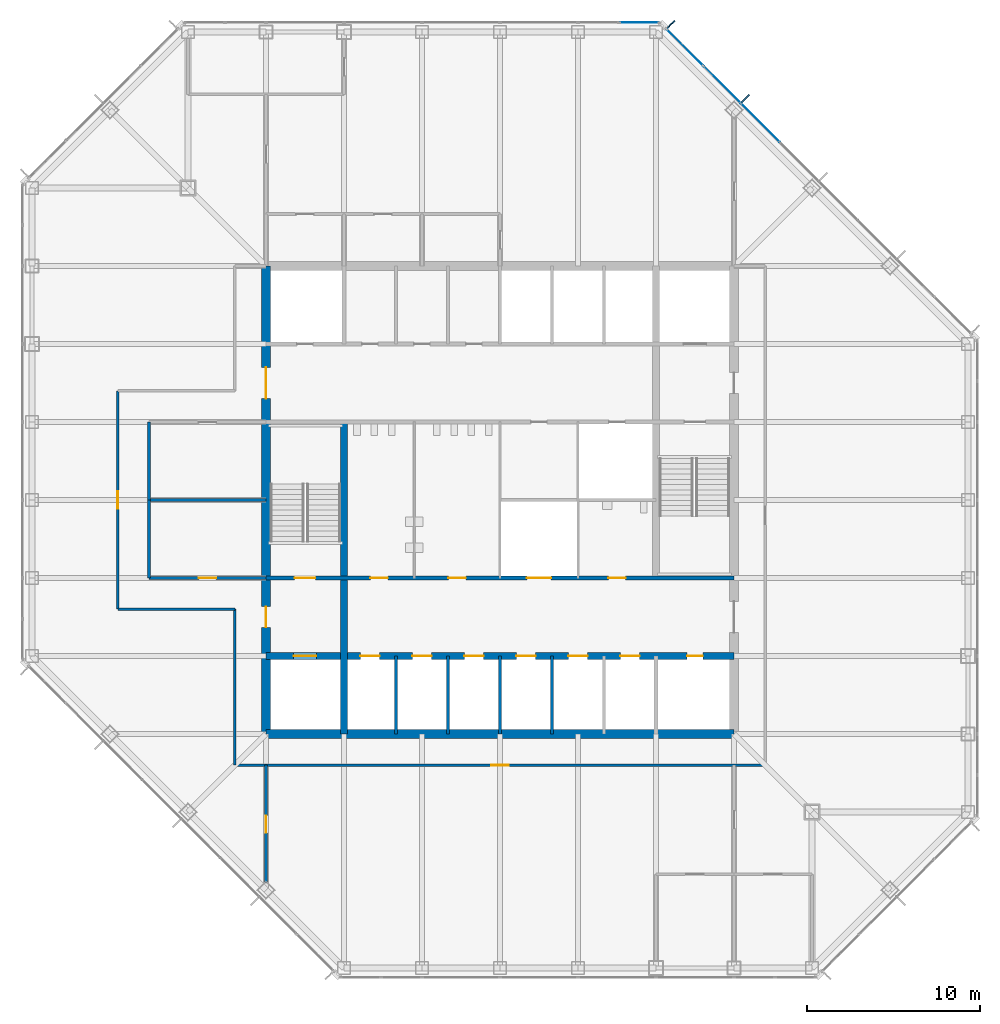
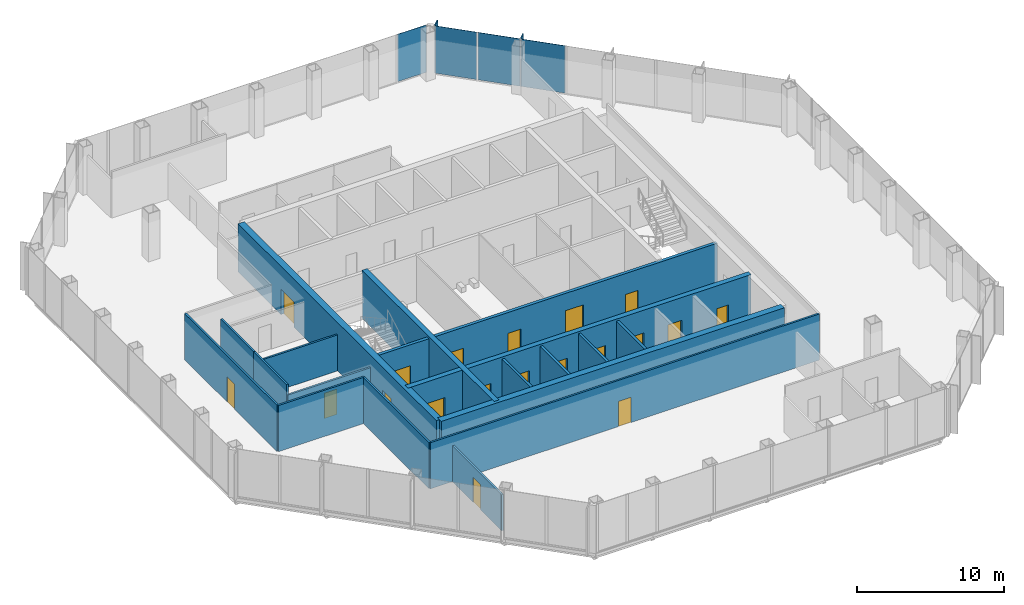
# One storey, part 8 of 12: 19 doors, 18 walls, 6 plates, 19 openings, 2 elements without a shape of their own.
"""IFC4 building model written with IfcOpenShell, lengths in metres."""

from ifc_helpers import new_model, si_unit, direction, frame, frame_2d, origin, origin_2d, place, context, subcontext, project, spatial, rectangle, extrude, material, layer, layer_set, type_object, element, fill, aggregate, save


model = new_model("IFC4")

# Units and contexts
model_context = context("Model", 3, precision=1e-05, world=origin(), true_north=direction((0.0, 1.0)))
body_context = subcontext(model_context, "Body", "Model", "MODEL_VIEW")
ifc_project = project(units=[si_unit("LENGTHUNIT", "METRE"), si_unit("AREAUNIT", "SQUARE_METRE"), si_unit("VOLUMEUNIT", "CUBIC_METRE"), si_unit("PLANEANGLEUNIT", "RADIAN"), si_unit("MASSUNIT", "GRAM", prefix="KILO")], contexts=[model_context])

# Site, building, storey
site_placement = place(None, origin())
site = spatial("IfcSite", under=ifc_project, at=site_placement, CompositionType="ELEMENT")
building_placement = place(site_placement, origin())
building = spatial("IfcBuilding", under=site, at=building_placement, Name="Corais Broadcast Tower", CompositionType="ELEMENT")
storey_placement = place(building_placement, frame((0.0, 0.0, 127.60009765625)))
storey = spatial("IfcBuildingStorey", under=building, at=storey_placement, Name="L28", CompositionType="ELEMENT", Elevation=127.60009765625)

# Curtain wall, plates
ifc_material_1 = material(Name="Aluminium and glass", Category="aluminium")
curtain_wall_type = type_object("IfcCurtainWallType", Name="Unitised fritted curtain wall CW2", PredefinedType="NOTDEFINED", material=ifc_material_1)
curtain_wall_1_placement = place(storey_placement, origin())
curtain_wall_1 = element("IfcCurtainWall", 1, at=curtain_wall_1_placement, inside=storey, type_object=curtain_wall_type, Name="CW2 curtain wall L28 5", PredefinedType="NOTDEFINED")
ifc_material_2 = material(Name="Ceramic-fritted laminated glass", Category="glass")
ifc_layer_1 = layer(ifc_material_2, 0.028076171875)
ifc_layer_set_1 = layer_set([ifc_layer_1], Name="Ceramic-fritted laminated glass")
plate_type_1 = type_object("IfcPlateType", Name="Fritted glass panel CW2", PredefinedType="CURTAIN_PANEL", material=ifc_layer_set_1)
plate_1_placement = place(storey_placement, frame((37.669677734375, 53.108154296875, 0.06494140625), z_axis=(0.0, 0.0, 1.0), x_axis=(0.707106781187, -0.707106781187, 0.0)))
plate_1 = element("IfcPlate", 2, at=plate_1_placement, type_object=plate_type_1, Name="CW2 panel 1", PredefinedType="CURTAIN_PANEL", context=body_context, shape_type="SweptSolid", body=[
    extrude(rectangle(XDim=2.9482421875, YDim=0.028076171875, at=origin_2d()), origin(), (0.0, 0.0, 1.0), 3.93505859375),
])
plate_2_placement = place(storey_placement, frame((42.013916015625, 48.763916015625, 0.06494140625), z_axis=(0.0, 0.0, 1.0), x_axis=(0.707106781187, -0.707106781187, 0.0)))
plate_2 = element("IfcPlate", 3, at=plate_2_placement, type_object=plate_type_1, Name="CW2 panel 3", PredefinedType="CURTAIN_PANEL", context=body_context, shape_type="SweptSolid", body=[
    extrude(rectangle(XDim=3.116943359375, YDim=0.028076171875, at=origin_2d()), origin(), (0.0, 0.0, 1.0), 3.93505859375),
])

# Curtain wall, plate
curtain_wall_2_placement = place(storey_placement, origin())
curtain_wall_2 = element("IfcCurtainWall", 4, at=curtain_wall_2_placement, inside=storey, type_object=curtain_wall_type, Name="CW2 curtain wall L28 4", PredefinedType="NOTDEFINED")
ifc_material_3 = material(Name="Clear laminated glass", Category="glass")
ifc_layer_2 = layer(ifc_material_3, 0.031982421875)
ifc_layer_set_2 = layer_set([ifc_layer_2], Name="Clear laminated glass")
plate_type_2 = type_object("IfcPlateType", Name="Operable glass panel CW2", PredefinedType="CURTAIN_PANEL", material=ifc_layer_set_2)
plate_3_placement = place(storey_placement, frame((35.029541015625, 54.550048828125, 0.06494140625), z_axis=(0.0, 0.0, 1.0), x_axis=(1.0, 0.0, 0.0)))
plate_3 = element("IfcPlate", 5, at=plate_3_placement, type_object=plate_type_2, Name="CW2 operable panel 8", PredefinedType="CURTAIN_PANEL", context=body_context, shape_type="SweptSolid", body=[
    extrude(rectangle(XDim=2.266357421875, YDim=0.031982421875, at=origin_2d()), origin(), (0.0, 0.0, 1.0), 3.93505859375),
])
aggregate(curtain_wall_2, [plate_3])

# Plate
plate_4_placement = place(storey_placement, frame((39.81201171875, 50.9658203125, 0.06494140625), z_axis=(0.0, 0.0, 1.0), x_axis=(0.707106781187, -0.707106781187, 0.0)))
plate_4 = element("IfcPlate", 6, at=plate_4_placement, type_object=plate_type_2, Name="CW2 operable panel 2", PredefinedType="CURTAIN_PANEL", context=body_context, shape_type="SweptSolid", body=[
    extrude(rectangle(XDim=2.98095703125, YDim=0.031982421875, at=origin_2d()), origin(), (0.0, 0.0, 1.0), 3.93505859375),
])

aggregate(curtain_wall_1, [plate_1, plate_4, plate_2])

# Plates
ifc_material_4 = material(Name="Granite stone cladding", Category="masonry")
ifc_layer_3 = layer(ifc_material_4, 0.080078125)
ifc_layer_set_3 = layer_set([ifc_layer_3], Name="Granite stone cladding")
plate_type_3 = type_object("IfcPlateType", Name="Stone screen fin 80x600", PredefinedType="USERDEFINED", material=ifc_layer_set_3)
for number, where, z_axis, x_axis, name in (
    (7, (36.8779296875, 54.447021484375, 0.0), (0.0, 0.0, 1.0), (0.707106781187, -0.707106781187, 0.0), "SF1 stone screen fin L28"),
    (8, (41.16259765625, 50.16259765625, 0.0), (0.0, 0.0, 1.0), (0.707106781187, -0.707106781187, 0.0), "SF1 stone screen fin L28"),
):
    element("IfcPlate", number, at=place(storey_placement, frame(where, z_axis=z_axis, x_axis=x_axis)), inside=storey, type_object=plate_type_3, Name=name, ObjectType="STONE SCREEN FIN", PredefinedType="USERDEFINED", context=body_context, shape_type="SweptSolid", body=[
        extrude(rectangle(XDim=0.080078125, YDim=0.60009765625, at=origin_2d()), origin(), (0.0, 0.0, 1.0), 4.0),
    ])

# Wall, openings, doors
ifc_material_5 = material(Name="Concrete blockwork class A, grouted, two-hour", Category="masonry")
ifc_layer_4 = layer(ifc_material_5, 0.25)
ifc_layer_set_4 = layer_set([ifc_layer_4], Name="Concrete blockwork class A, grouted, two-hour")
wall_type_1 = type_object("IfcWallType", Name="Core lobby wall 250", PredefinedType="SOLIDWALL", material=ifc_layer_set_4)
wall_1_placement = place(storey_placement, frame((13.5, 22.5, 0.0), z_axis=(0.0, 0.0, 1.0), x_axis=(1.0, 0.0, 0.0)))
wall_1 = element("IfcWall", 9, at=wall_1_placement, inside=storey, type_object=wall_type_1, Name="CL2 core lobby wall Y225 L28", PredefinedType="SOLIDWALL", context=body_context, shape_type="SweptSolid", body=[
    extrude(rectangle(XDim=27.0, YDim=0.25, at=frame_2d((13.5, 0.0))), origin(), (0.0, 0.0, 1.0), 3.83984375),
])
opening_1_placement = place(wall_1_placement, frame((1.64990234375, 0.0, 0.0)))
opening_1 = element("IfcOpeningElement", 10, at=opening_1_placement, cuts=wall_1, Name="Opening FD1", PredefinedType="OPENING", context=body_context, shape_type="SweptSolid", body=[
    extrude(rectangle(XDim=1.199951171875, YDim=2.10009765625, at=frame_2d((0.60009765625, 1.050048828125))), frame((0.0, 0.135009765625, 0.0), z_axis=(0.0, -1.0, 0.0), x_axis=(1.0, 0.0, 0.0)), (0.0, 0.0, 1.0), 0.27001953125),
])
opening_2_placement = place(wall_1_placement, frame((6.02490234375, 0.0, 0.0)))
opening_2 = element("IfcOpeningElement", 11, at=opening_2_placement, cuts=wall_1, Name="Opening WD1", PredefinedType="OPENING", context=body_context, shape_type="SweptSolid", body=[
    extrude(rectangle(XDim=1.0, YDim=2.10009765625, at=frame_2d((0.5, 1.050048828125))), frame((0.0, 0.135009765625, 0.0), z_axis=(0.0, -1.0, 0.0), x_axis=(1.0, 0.0, 0.0)), (0.0, 0.0, 1.0), 0.27001953125),
])
opening_3_placement = place(wall_1_placement, frame((10.52490234375, 0.0, 0.0)))
opening_3 = element("IfcOpeningElement", 12, at=opening_3_placement, cuts=wall_1, Name="Opening WD1", PredefinedType="OPENING", context=body_context, shape_type="SweptSolid", body=[
    extrude(rectangle(XDim=1.0, YDim=2.10009765625, at=frame_2d((0.5, 1.050048828125))), frame((0.0, 0.135009765625, 0.0), z_axis=(0.0, -1.0, 0.0), x_axis=(1.0, 0.0, 0.0)), (0.0, 0.0, 1.0), 0.27001953125),
])
opening_4_placement = place(wall_1_placement, frame((19.75, 0.0, 0.0)))
opening_4 = element("IfcOpeningElement", 13, at=opening_4_placement, cuts=wall_1, Name="Opening WD1", PredefinedType="OPENING", context=body_context, shape_type="SweptSolid", body=[
    extrude(rectangle(XDim=1.0, YDim=2.10009765625, at=frame_2d((0.5, 1.050048828125))), frame((0.0, 0.135009765625, 0.0), z_axis=(0.0, -1.0, 0.0), x_axis=(1.0, 0.0, 0.0)), (0.0, 0.0, 1.0), 0.27001953125),
])
opening_5_placement = place(wall_1_placement, frame((15.050048828125, 0.0, 0.0)))
opening_5 = element("IfcOpeningElement", 14, at=opening_5_placement, cuts=wall_1, Name="Opening LD3", PredefinedType="OPENING", context=body_context, shape_type="SweptSolid", body=[
    extrude(rectangle(XDim=1.39990234375, YDim=2.39990234375, at=frame_2d((0.699951171875, 1.199951171875))), frame((0.0, 0.135009765625, 0.0), z_axis=(0.0, -1.0, 0.0), x_axis=(1.0, 0.0, 0.0)), (0.0, 0.0, 1.0), 0.27001953125),
])
ifc_material_6 = material(Name="Steel fire door", Category="steel")
door_type_1 = type_object("IfcDoorType", Name="Fire door 1200x2100", OperationType="SINGLE_SWING_LEFT", PredefinedType="DOOR", material=ifc_material_6)
door_1_placement = place(opening_1_placement, origin())
door_1 = element("IfcDoor", 15, at=door_1_placement, inside=storey, type_object=door_type_1, Name="FD1 stair A door L28", OperationType="SINGLE_SWING_LEFT", OverallHeight=2.10009765625, OverallWidth=1.199951171875, PredefinedType="DOOR", context=body_context, shape_type="SweptSolid", body=[
    extrude(rectangle(XDim=1.199951171875, YDim=2.10009765625, at=frame_2d((0.60009765625, 1.050048828125))), frame((0.0, 0.02490234375, 0.0), z_axis=(0.0, -1.0, 0.0), x_axis=(1.0, 0.0, 0.0)), (0.0, 0.0, 1.0), 0.050048828125),
])
fill(opening_1, door_1)
ifc_material_7 = material(Name="Stainless steel lift door", Category="steel")
door_type_2 = type_object("IfcDoorType", Name="Service lift landing door 1400x2400", OperationType="SLIDING_TO_LEFT", PredefinedType="DOOR", material=ifc_material_7)
door_2_placement = place(opening_5_placement, origin())
door_2 = element("IfcDoor", 16, at=door_2_placement, inside=storey, type_object=door_type_2, Name="LD3 SL1 landing door L28", OperationType="SLIDING_TO_LEFT", OverallHeight=2.39990234375, OverallWidth=1.39990234375, PredefinedType="DOOR", context=body_context, shape_type="SweptSolid", body=[
    extrude(rectangle(XDim=1.39990234375, YDim=2.39990234375, at=frame_2d((0.699951171875, 1.199951171875))), frame((0.0, 0.02490234375, 0.0), z_axis=(0.0, -1.0, 0.0), x_axis=(1.0, 0.0, 0.0)), (0.0, 0.0, 1.0), 0.050048828125),
])
fill(opening_5, door_2)
ifc_material_8 = material(Name="Timber door", Category="wood")
door_type_3 = type_object("IfcDoorType", Name="Toilet door 1000x2100", OperationType="SINGLE_SWING_LEFT", PredefinedType="DOOR", material=ifc_material_8)
door_3_placement = place(opening_2_placement, origin())
door_3 = element("IfcDoor", 17, at=door_3_placement, inside=storey, type_object=door_type_3, Name="WD1 WC male door L28", OperationType="SINGLE_SWING_LEFT", OverallHeight=2.10009765625, OverallWidth=1.0, PredefinedType="DOOR", context=body_context, shape_type="SweptSolid", body=[
    extrude(rectangle(XDim=1.0, YDim=2.10009765625, at=frame_2d((0.5, 1.050048828125))), frame((0.0, 0.02490234375, 0.0), z_axis=(0.0, -1.0, 0.0), x_axis=(1.0, 0.0, 0.0)), (0.0, 0.0, 1.0), 0.050048828125),
])
fill(opening_2, door_3)
door_4_placement = place(opening_3_placement, origin())
door_4 = element("IfcDoor", 18, at=door_4_placement, inside=storey, type_object=door_type_3, Name="WD1 WC female door L28", OperationType="SINGLE_SWING_LEFT", OverallHeight=2.10009765625, OverallWidth=1.0, PredefinedType="DOOR", context=body_context, shape_type="SweptSolid", body=[
    extrude(rectangle(XDim=1.0, YDim=2.10009765625, at=frame_2d((0.5, 1.050048828125))), frame((0.0, 0.02490234375, 0.0), z_axis=(0.0, -1.0, 0.0), x_axis=(1.0, 0.0, 0.0)), (0.0, 0.0, 1.0), 0.050048828125),
])
fill(opening_3, door_4)
door_5_placement = place(opening_4_placement, origin())
door_5 = element("IfcDoor", 19, at=door_5_placement, inside=storey, type_object=door_type_3, Name="WD1 accessible WC door L28", OperationType="SINGLE_SWING_RIGHT", OverallHeight=2.10009765625, OverallWidth=1.0, PredefinedType="DOOR", context=body_context, shape_type="SweptSolid", body=[
    extrude(rectangle(XDim=1.0, YDim=2.10009765625, at=frame_2d((0.5, 1.050048828125))), frame((0.0, 0.02490234375, 0.0), z_axis=(0.0, -1.0, 0.0), x_axis=(1.0, 0.0, 0.0)), (0.0, 0.0, 1.0), 0.050048828125),
])
fill(opening_4, door_5)

# Wall
ifc_material_9 = material(Name="Concrete C50/60", Category="concrete")
ifc_layer_5 = layer(ifc_material_9, 0.39990234375)
ifc_layer_set_5 = layer_set([ifc_layer_5], Name="Concrete C50/60")
wall_type_2 = type_object("IfcWallType", Name="Core wall 400", PredefinedType="SHEAR", material=ifc_layer_set_5)
wall_2_placement = place(storey_placement, frame((18.0, 13.5, 0.0), z_axis=(0.0, 0.0, 1.0), x_axis=(0.0, 1.0, 0.0)))
element("IfcWall", 20, at=wall_2_placement, inside=storey, type_object=wall_type_2, Name="CR400 core wall X18A L28", PredefinedType="SHEAR", context=body_context, shape_type="SweptSolid", body=[
    extrude(rectangle(XDim=18.0, YDim=0.39990234375, at=frame_2d((9.0, 0.0))), origin(), (0.0, 0.0, 1.0), 4.0),
])

# Wall, openings, doors
wall_3_placement = place(storey_placement, frame((13.5, 18.0, 0.0), z_axis=(0.0, 0.0, 1.0), x_axis=(1.0, 0.0, 0.0)))
wall_3 = element("IfcWall", 21, at=wall_3_placement, inside=storey, type_object=wall_type_2, Name="CR400 core wall Y18 L28", PredefinedType="SHEAR", context=body_context, shape_type="SweptSolid", body=[
    extrude(rectangle(XDim=27.0, YDim=0.39990234375, at=frame_2d((13.5, 0.0))), origin(), (0.0, 0.0, 1.0), 4.0),
])
opening_6_placement = place(wall_3_placement, frame((24.300048828125, 0.0, 0.0)))
opening_6 = element("IfcOpeningElement", 22, at=opening_6_placement, cuts=wall_3, Name="Opening RD1", PredefinedType="OPENING", context=body_context, shape_type="SweptSolid", body=[
    extrude(rectangle(XDim=0.89990234375, YDim=2.10009765625, at=frame_2d((0.449951171875, 1.050048828125))), frame((0.0, 0.2099609375, 0.0), z_axis=(0.0, -1.0, 0.0), x_axis=(1.0, 0.0, 0.0)), (0.0, 0.0, 1.0), 0.419921875),
])
opening_7_placement = place(wall_3_placement, frame((5.449951171875, 0.0, 0.0)))
opening_7 = element("IfcOpeningElement", 23, at=opening_7_placement, cuts=wall_3, Name="Opening LD1", PredefinedType="OPENING", context=body_context, shape_type="SweptSolid", body=[
    extrude(rectangle(XDim=1.10009765625, YDim=2.10009765625, at=frame_2d((0.550048828125, 1.050048828125))), frame((0.0, 0.2099609375, 0.0), z_axis=(0.0, -1.0, 0.0), x_axis=(1.0, 0.0, 0.0)), (0.0, 0.0, 1.0), 0.419921875),
])
opening_8_placement = place(wall_3_placement, frame((8.449951171875, 0.0, 0.0)))
opening_8 = element("IfcOpeningElement", 24, at=opening_8_placement, cuts=wall_3, Name="Opening LD1", PredefinedType="OPENING", context=body_context, shape_type="SweptSolid", body=[
    extrude(rectangle(XDim=1.10009765625, YDim=2.10009765625, at=frame_2d((0.550048828125, 1.050048828125))), frame((0.0, 0.2099609375, 0.0), z_axis=(0.0, -1.0, 0.0), x_axis=(1.0, 0.0, 0.0)), (0.0, 0.0, 1.0), 0.419921875),
])
opening_9_placement = place(wall_3_placement, frame((11.449951171875, 0.0, 0.0)))
opening_9 = element("IfcOpeningElement", 25, at=opening_9_placement, cuts=wall_3, Name="Opening LD1", PredefinedType="OPENING", context=body_context, shape_type="SweptSolid", body=[
    extrude(rectangle(XDim=1.10009765625, YDim=2.10009765625, at=frame_2d((0.550048828125, 1.050048828125))), frame((0.0, 0.2099609375, 0.0), z_axis=(0.0, -1.0, 0.0), x_axis=(1.0, 0.0, 0.0)), (0.0, 0.0, 1.0), 0.419921875),
])
opening_10_placement = place(wall_3_placement, frame((14.449951171875, 0.0, 0.0)))
opening_10 = element("IfcOpeningElement", 26, at=opening_10_placement, cuts=wall_3, Name="Opening LD1", PredefinedType="OPENING", context=body_context, shape_type="SweptSolid", body=[
    extrude(rectangle(XDim=1.10009765625, YDim=2.10009765625, at=frame_2d((0.550048828125, 1.050048828125))), frame((0.0, 0.2099609375, 0.0), z_axis=(0.0, -1.0, 0.0), x_axis=(1.0, 0.0, 0.0)), (0.0, 0.0, 1.0), 0.419921875),
])
opening_11_placement = place(wall_3_placement, frame((17.449951171875, 0.0, 0.0)))
opening_11 = element("IfcOpeningElement", 27, at=opening_11_placement, cuts=wall_3, Name="Opening LD1", PredefinedType="OPENING", context=body_context, shape_type="SweptSolid", body=[
    extrude(rectangle(XDim=1.10009765625, YDim=2.10009765625, at=frame_2d((0.550048828125, 1.050048828125))), frame((0.0, 0.2099609375, 0.0), z_axis=(0.0, -1.0, 0.0), x_axis=(1.0, 0.0, 0.0)), (0.0, 0.0, 1.0), 0.419921875),
])
opening_12_placement = place(wall_3_placement, frame((20.449951171875, 0.0, 0.0)))
opening_12 = element("IfcOpeningElement", 28, at=opening_12_placement, cuts=wall_3, Name="Opening LD1", PredefinedType="OPENING", context=body_context, shape_type="SweptSolid", body=[
    extrude(rectangle(XDim=1.10009765625, YDim=2.10009765625, at=frame_2d((0.550048828125, 1.050048828125))), frame((0.0, 0.2099609375, 0.0), z_axis=(0.0, -1.0, 0.0), x_axis=(1.0, 0.0, 0.0)), (0.0, 0.0, 1.0), 0.419921875),
])
opening_13_placement = place(wall_3_placement, frame((1.60009765625, 0.0, 0.0)))
opening_13 = element("IfcOpeningElement", 29, at=opening_13_placement, cuts=wall_3, Name="Opening LD2", PredefinedType="OPENING", context=body_context, shape_type="SweptSolid", body=[
    extrude(rectangle(XDim=1.300048828125, YDim=2.199951171875, at=frame_2d((0.64990234375, 1.10009765625))), frame((0.0, 0.2099609375, 0.0), z_axis=(0.0, -1.0, 0.0), x_axis=(1.0, 0.0, 0.0)), (0.0, 0.0, 1.0), 0.419921875),
])
ifc_material_10 = material(Name="Stainless steel lift door", Category="steel")
door_type_4 = type_object("IfcDoorType", Name="Lift landing door 1100x2100", OperationType="SLIDING_TO_LEFT", PredefinedType="DOOR", material=ifc_material_10)
door_6_placement = place(opening_7_placement, origin())
door_6 = element("IfcDoor", 30, at=door_6_placement, inside=storey, type_object=door_type_4, Name="LD1 PM1 landing door L28", OperationType="SLIDING_TO_LEFT", OverallHeight=2.10009765625, OverallWidth=1.10009765625, PredefinedType="DOOR", context=body_context, shape_type="SweptSolid", body=[
    extrude(rectangle(XDim=1.10009765625, YDim=2.10009765625, at=frame_2d((0.550048828125, 1.050048828125))), frame((0.0, 0.02490234375, 0.0), z_axis=(0.0, -1.0, 0.0), x_axis=(1.0, 0.0, 0.0)), (0.0, 0.0, 1.0), 0.050048828125),
])
fill(opening_7, door_6)
door_7_placement = place(opening_8_placement, origin())
door_7 = element("IfcDoor", 31, at=door_7_placement, inside=storey, type_object=door_type_4, Name="LD1 PM2 landing door L28", OperationType="SLIDING_TO_LEFT", OverallHeight=2.10009765625, OverallWidth=1.10009765625, PredefinedType="DOOR", context=body_context, shape_type="SweptSolid", body=[
    extrude(rectangle(XDim=1.10009765625, YDim=2.10009765625, at=frame_2d((0.550048828125, 1.050048828125))), frame((0.0, 0.02490234375, 0.0), z_axis=(0.0, -1.0, 0.0), x_axis=(1.0, 0.0, 0.0)), (0.0, 0.0, 1.0), 0.050048828125),
])
fill(opening_8, door_7)
door_8_placement = place(opening_9_placement, origin())
door_8 = element("IfcDoor", 32, at=door_8_placement, inside=storey, type_object=door_type_4, Name="LD1 PM3 landing door L28", OperationType="SLIDING_TO_LEFT", OverallHeight=2.10009765625, OverallWidth=1.10009765625, PredefinedType="DOOR", context=body_context, shape_type="SweptSolid", body=[
    extrude(rectangle(XDim=1.10009765625, YDim=2.10009765625, at=frame_2d((0.550048828125, 1.050048828125))), frame((0.0, 0.02490234375, 0.0), z_axis=(0.0, -1.0, 0.0), x_axis=(1.0, 0.0, 0.0)), (0.0, 0.0, 1.0), 0.050048828125),
])
fill(opening_9, door_8)
door_9_placement = place(opening_10_placement, origin())
door_9 = element("IfcDoor", 33, at=door_9_placement, inside=storey, type_object=door_type_4, Name="LD1 PM4 landing door L28", OperationType="SLIDING_TO_LEFT", OverallHeight=2.10009765625, OverallWidth=1.10009765625, PredefinedType="DOOR", context=body_context, shape_type="SweptSolid", body=[
    extrude(rectangle(XDim=1.10009765625, YDim=2.10009765625, at=frame_2d((0.550048828125, 1.050048828125))), frame((0.0, 0.02490234375, 0.0), z_axis=(0.0, -1.0, 0.0), x_axis=(1.0, 0.0, 0.0)), (0.0, 0.0, 1.0), 0.050048828125),
])
fill(opening_10, door_9)
door_10_placement = place(opening_11_placement, origin())
door_10 = element("IfcDoor", 34, at=door_10_placement, inside=storey, type_object=door_type_4, Name="LD1 PM5 landing door L28", OperationType="SLIDING_TO_LEFT", OverallHeight=2.10009765625, OverallWidth=1.10009765625, PredefinedType="DOOR", context=body_context, shape_type="SweptSolid", body=[
    extrude(rectangle(XDim=1.10009765625, YDim=2.10009765625, at=frame_2d((0.550048828125, 1.050048828125))), frame((0.0, 0.02490234375, 0.0), z_axis=(0.0, -1.0, 0.0), x_axis=(1.0, 0.0, 0.0)), (0.0, 0.0, 1.0), 0.050048828125),
])
fill(opening_11, door_10)
door_11_placement = place(opening_12_placement, origin())
door_11 = element("IfcDoor", 35, at=door_11_placement, inside=storey, type_object=door_type_4, Name="LD1 PM6 landing door L28", OperationType="SLIDING_TO_LEFT", OverallHeight=2.10009765625, OverallWidth=1.10009765625, PredefinedType="DOOR", context=body_context, shape_type="SweptSolid", body=[
    extrude(rectangle(XDim=1.10009765625, YDim=2.10009765625, at=frame_2d((0.550048828125, 1.050048828125))), frame((0.0, 0.02490234375, 0.0), z_axis=(0.0, -1.0, 0.0), x_axis=(1.0, 0.0, 0.0)), (0.0, 0.0, 1.0), 0.050048828125),
])
fill(opening_12, door_11)
ifc_material_11 = material(Name="Stainless steel lift door", Category="steel")
door_type_5 = type_object("IfcDoorType", Name="Lift landing door 1300x2200", OperationType="SLIDING_TO_LEFT", PredefinedType="DOOR", material=ifc_material_11)
door_12_placement = place(opening_13_placement, origin())
door_12 = element("IfcDoor", 36, at=door_12_placement, inside=storey, type_object=door_type_5, Name="LD2 FL1 landing door L28", OperationType="SLIDING_TO_LEFT", OverallHeight=2.199951171875, OverallWidth=1.300048828125, PredefinedType="DOOR", context=body_context, shape_type="SweptSolid", body=[
    extrude(rectangle(XDim=1.300048828125, YDim=2.199951171875, at=frame_2d((0.64990234375, 1.10009765625))), frame((0.0, 0.02490234375, 0.0), z_axis=(0.0, -1.0, 0.0), x_axis=(1.0, 0.0, 0.0)), (0.0, 0.0, 1.0), 0.050048828125),
])
fill(opening_13, door_12)
ifc_material_12 = material(Name="Steel fire door", Category="steel")
door_type_6 = type_object("IfcDoorType", Name="Riser door 900x2100", OperationType="SINGLE_SWING_LEFT", PredefinedType="DOOR", material=ifc_material_12)
door_13_placement = place(opening_6_placement, origin())
door_13 = element("IfcDoor", 37, at=door_13_placement, inside=storey, type_object=door_type_6, Name="RD1 riser door L28", OperationType="SINGLE_SWING_RIGHT", OverallHeight=2.10009765625, OverallWidth=0.89990234375, PredefinedType="DOOR", context=body_context, shape_type="SweptSolid", body=[
    extrude(rectangle(XDim=0.89990234375, YDim=2.10009765625, at=frame_2d((0.449951171875, 1.050048828125))), frame((0.0, 0.02490234375, 0.0), z_axis=(0.0, -1.0, 0.0), x_axis=(1.0, 0.0, 0.0)), (0.0, 0.0, 1.0), 0.050048828125),
])
fill(opening_6, door_13)

# Wall
ifc_material_13 = material(Name="Concrete C50/60", Category="concrete")
ifc_layer_6 = layer(ifc_material_13, 0.5)
ifc_layer_set_6 = layer_set([ifc_layer_6], Name="Concrete C50/60")
wall_type_3 = type_object("IfcWallType", Name="Core wall 500", PredefinedType="SHEAR", material=ifc_layer_set_6)
wall_4_placement = place(storey_placement, frame((13.5, 13.5, 0.0), z_axis=(0.0, 0.0, 1.0), x_axis=(1.0, 0.0, 0.0)))
element("IfcWall", 38, at=wall_4_placement, inside=storey, type_object=wall_type_3, Name="CR500 core wall S L28", PredefinedType="SHEAR", context=body_context, shape_type="SweptSolid", body=[
    extrude(rectangle(XDim=27.0, YDim=0.5, at=frame_2d((13.5, 0.0))), origin(), (0.0, 0.0, 1.0), 4.0),
])

# Wall, openings, doors
wall_5_placement = place(storey_placement, frame((13.5, 40.5, 0.0), z_axis=(0.0, 0.0, 1.0), x_axis=(0.0, -1.0, 0.0)))
wall_5 = element("IfcWall", 39, at=wall_5_placement, inside=storey, type_object=wall_type_3, Name="CR500 core wall W L28", PredefinedType="SHEAR", context=body_context, shape_type="SweptSolid", body=[
    extrude(rectangle(XDim=27.0, YDim=0.5, at=frame_2d((13.5, 0.0))), origin(), (0.0, 0.0, 1.0), 4.0),
])
opening_14_placement = place(wall_5_placement, frame((19.64990234375, 0.0, 0.0)))
opening_14 = element("IfcOpeningElement", 40, at=opening_14_placement, cuts=wall_5, Name="Opening FD1", PredefinedType="OPENING", context=body_context, shape_type="SweptSolid", body=[
    extrude(rectangle(XDim=1.199951171875, YDim=2.10009765625, at=frame_2d((0.60009765625, 1.050048828125))), frame((0.0, 0.260009765625, 0.0), z_axis=(0.0, -1.0, 0.0), x_axis=(1.0, 0.0, 0.0)), (0.0, 0.0, 1.0), 0.52001953125),
])
opening_15_placement = place(wall_5_placement, frame((5.85009765625, 0.0, 0.0)))
opening_15 = element("IfcOpeningElement", 41, at=opening_15_placement, cuts=wall_5, Name="Opening FD2", PredefinedType="OPENING", context=body_context, shape_type="SweptSolid", body=[
    extrude(rectangle(XDim=1.800048828125, YDim=2.10009765625, at=frame_2d((0.89990234375, 1.050048828125))), frame((0.0, 0.260009765625, 0.0), z_axis=(0.0, -1.0, 0.0), x_axis=(1.0, 0.0, 0.0)), (0.0, 0.0, 1.0), 0.52001953125),
])
door_14_placement = place(opening_14_placement, origin())
door_14 = element("IfcDoor", 42, at=door_14_placement, inside=storey, type_object=door_type_1, Name="FD1 fire lobby A door L28", OperationType="SINGLE_SWING_RIGHT", OverallHeight=2.10009765625, OverallWidth=1.199951171875, PredefinedType="DOOR", context=body_context, shape_type="SweptSolid", body=[
    extrude(rectangle(XDim=1.199951171875, YDim=2.10009765625, at=frame_2d((0.60009765625, 1.050048828125))), frame((0.0, 0.02490234375, 0.0), z_axis=(0.0, -1.0, 0.0), x_axis=(1.0, 0.0, 0.0)), (0.0, 0.0, 1.0), 0.050048828125),
])
fill(opening_14, door_14)
ifc_material_14 = material(Name="Steel fire door", Category="steel")
door_type_7 = type_object("IfcDoorType", Name="Fire door pair 1800x2100", OperationType="DOUBLE_DOOR_SINGLE_SWING", PredefinedType="DOOR", material=ifc_material_14)
door_15_placement = place(opening_15_placement, origin())
door_15 = element("IfcDoor", 43, at=door_15_placement, inside=storey, type_object=door_type_7, Name="FD2 lift lobby door L28", OperationType="SINGLE_SWING_LEFT", OverallHeight=2.10009765625, OverallWidth=1.800048828125, PredefinedType="DOOR", context=body_context, shape_type="SweptSolid", body=[
    extrude(rectangle(XDim=1.800048828125, YDim=2.10009765625, at=frame_2d((0.89990234375, 1.050048828125))), frame((0.0, 0.02490234375, 0.0), z_axis=(0.0, -1.0, 0.0), x_axis=(1.0, 0.0, 0.0)), (0.0, 0.0, 1.0), 0.050048828125),
])
fill(opening_15, door_15)

# Wall, opening, door
ifc_material_15 = material(Name="Gypsum board on steel studs", Category="steel")
ifc_layer_7 = layer(ifc_material_15, 0.14990234375)
ifc_layer_set_7 = layer_set([ifc_layer_7], Name="Gypsum board on steel studs")
wall_type_4 = type_object("IfcWallType", Name="Partition 150", PredefinedType="PARTITIONING", material=ifc_layer_set_7)
wall_6_placement = place(storey_placement, frame((11.699951171875, 11.699951171875, 0.0), z_axis=(0.0, 0.0, 1.0), x_axis=(1.0, 0.0, 0.0)))
wall_6 = element("IfcWall", 44, at=wall_6_placement, inside=storey, type_object=wall_type_4, Name="IW3 corridor wall L28", PredefinedType="PARTITIONING", context=body_context, shape_type="SweptSolid", body=[
    extrude(rectangle(XDim=30.60009765625, YDim=0.14990234375, at=frame_2d((15.300048828125, 0.0))), origin(), (0.0, 0.0, 1.0), 3.83984375),
])
opening_16_placement = place(wall_6_placement, frame((14.800048828125, 0.0, 0.0)))
opening_16 = element("IfcOpeningElement", 45, at=opening_16_placement, cuts=wall_6, Name="Opening D1", PredefinedType="OPENING", context=body_context, shape_type="SweptSolid", body=[
    extrude(rectangle(XDim=1.0, YDim=2.10009765625, at=frame_2d((0.5, 1.050048828125))), frame((0.0, 0.0849609375, 0.0), z_axis=(0.0, -1.0, 0.0), x_axis=(1.0, 0.0, 0.0)), (0.0, 0.0, 1.0), 0.169921875),
])
ifc_material_16 = material(Name="Timber door", Category="wood")
door_type_8 = type_object("IfcDoorType", Name="Single door 1000x2100", OperationType="SINGLE_SWING_LEFT", PredefinedType="DOOR", material=ifc_material_16)
door_16_placement = place(opening_16_placement, origin())
door_16 = element("IfcDoor", 46, at=door_16_placement, inside=storey, type_object=door_type_8, Name="D1 workplace door L28", OperationType="SINGLE_SWING_LEFT", OverallHeight=2.10009765625, OverallWidth=1.0, PredefinedType="DOOR", context=body_context, shape_type="SweptSolid", body=[
    extrude(rectangle(XDim=1.0, YDim=2.10009765625, at=frame_2d((0.5, 1.050048828125))), frame((0.0, 0.02490234375, 0.0), z_axis=(0.0, -1.0, 0.0), x_axis=(1.0, 0.0, 0.0)), (0.0, 0.0, 1.0), 0.050048828125),
])
fill(opening_16, door_16)

wall_7_placement = place(storey_placement, frame((4.949951171875, 33.300048828125, 0.0), z_axis=(0.0, 0.0, 1.0), x_axis=(0.0, -1.0, 0.0)))
wall_7 = element("IfcWall", 47, at=wall_7_placement, inside=storey, type_object=wall_type_4, Name="IW3 corridor wall L28", PredefinedType="PARTITIONING", context=body_context, shape_type="SweptSolid", body=[
    extrude(rectangle(XDim=12.60009765625, YDim=0.14990234375, at=frame_2d((6.300048828125, 0.0))), origin(), (0.0, 0.0, 1.0), 3.83984375),
])
opening_17_placement = place(wall_7_placement, frame((5.800048828125, 0.0, 0.0)))
opening_17 = element("IfcOpeningElement", 48, at=opening_17_placement, cuts=wall_7, Name="Opening D1", PredefinedType="OPENING", context=body_context, shape_type="SweptSolid", body=[
    extrude(rectangle(XDim=1.0, YDim=2.10009765625, at=frame_2d((0.5, 1.050048828125))), frame((0.0, 0.0849609375, 0.0), z_axis=(0.0, -1.0, 0.0), x_axis=(1.0, 0.0, 0.0)), (0.0, 0.0, 1.0), 0.169921875),
])
door_17_placement = place(opening_17_placement, origin())
door_17 = element("IfcDoor", 49, at=door_17_placement, inside=storey, type_object=door_type_8, Name="D1 workplace door L28", OperationType="SINGLE_SWING_LEFT", OverallHeight=2.10009765625, OverallWidth=1.0, PredefinedType="DOOR", context=body_context, shape_type="SweptSolid", body=[
    extrude(rectangle(XDim=1.0, YDim=2.10009765625, at=frame_2d((0.5, 1.050048828125))), frame((0.0, 0.02490234375, 0.0), z_axis=(0.0, -1.0, 0.0), x_axis=(1.0, 0.0, 0.0)), (0.0, 0.0, 1.0), 0.050048828125),
])
fill(opening_17, door_17)

# Walls
wall_8_placement = place(storey_placement, frame((11.699951171875, 20.699951171875, 0.0), z_axis=(0.0, 0.0, 1.0), x_axis=(0.0, -1.0, 0.0)))
element("IfcWall", 50, at=wall_8_placement, inside=storey, type_object=wall_type_4, Name="IW3 corridor wall L28", PredefinedType="PARTITIONING", context=body_context, shape_type="SweptSolid", body=[
    extrude(rectangle(XDim=9.0, YDim=0.14990234375, at=frame_2d((4.5, 0.0))), origin(), (0.0, 0.0, 1.0), 3.83984375),
])
wall_9_placement = place(storey_placement, frame((4.949951171875, 20.699951171875, 0.0), z_axis=(0.0, 0.0, 1.0), x_axis=(1.0, 0.0, 0.0)))
element("IfcWall", 51, at=wall_9_placement, inside=storey, type_object=wall_type_4, Name="IW3 corridor wall L28", PredefinedType="PARTITIONING", context=body_context, shape_type="SweptSolid", body=[
    extrude(rectangle(XDim=6.75, YDim=0.14990234375, at=frame_2d((3.375, 0.0))), origin(), (0.0, 0.0, 1.0), 3.83984375),
])

# Wall, opening, door
wall_10_placement = place(storey_placement, frame((6.75, 22.5, 0.0), z_axis=(0.0, 0.0, 1.0), x_axis=(1.0, 0.0, 0.0)))
wall_10 = element("IfcWall", 52, at=wall_10_placement, inside=storey, type_object=wall_type_4, Name="IW3 partition L28", PredefinedType="PARTITIONING", context=body_context, shape_type="SweptSolid", body=[
    extrude(rectangle(XDim=6.75, YDim=0.14990234375, at=frame_2d((3.375, 0.0))), origin(), (0.0, 0.0, 1.0), 2.989013671875),
])
opening_18_placement = place(wall_10_placement, frame((2.875, 0.0, 0.0)))
opening_18 = element("IfcOpeningElement", 53, at=opening_18_placement, cuts=wall_10, Name="Opening D1", PredefinedType="OPENING", context=body_context, shape_type="SweptSolid", body=[
    extrude(rectangle(XDim=1.0, YDim=2.10009765625, at=frame_2d((0.5, 1.050048828125))), frame((0.0, 0.0849609375, 0.0), z_axis=(0.0, -1.0, 0.0), x_axis=(1.0, 0.0, 0.0)), (0.0, 0.0, 1.0), 0.169921875),
])
door_18_placement = place(opening_18_placement, origin())
door_18 = element("IfcDoor", 54, at=door_18_placement, inside=storey, type_object=door_type_8, Name="D1 Meeting room door", OperationType="SINGLE_SWING_LEFT", OverallHeight=2.10009765625, OverallWidth=1.0, PredefinedType="DOOR", context=body_context, shape_type="SweptSolid", body=[
    extrude(rectangle(XDim=1.0, YDim=2.10009765625, at=frame_2d((0.5, 1.050048828125))), frame((0.0, 0.02490234375, 0.0), z_axis=(0.0, -1.0, 0.0), x_axis=(1.0, 0.0, 0.0)), (0.0, 0.0, 1.0), 0.050048828125),
])
fill(opening_18, door_18)

# Walls
wall_11_placement = place(storey_placement, frame((13.5, 27.0, 0.0), z_axis=(0.0, 0.0, 1.0), x_axis=(-1.0, 0.0, 0.0)))
element("IfcWall", 55, at=wall_11_placement, inside=storey, type_object=wall_type_4, Name="IW3 partition L28", PredefinedType="PARTITIONING", context=body_context, shape_type="SweptSolid", body=[
    extrude(rectangle(XDim=6.75, YDim=0.14990234375, at=frame_2d((3.375, 0.0))), origin(), (0.0, 0.0, 1.0), 2.989013671875),
])
for number, where, z_axis, x_axis, name in (
    (56, (6.75, 27.0, 0.0), (0.0, 0.0, 1.0), (0.0, -1.0, 0.0), "IW3 partition L28"),
    (57, (6.75, 31.5, 0.0), (0.0, 0.0, 1.0), (0.0, -1.0, 0.0), "IW3 partition L28"),
):
    element("IfcWall", number, at=place(storey_placement, frame(where, z_axis=z_axis, x_axis=x_axis)), inside=storey, type_object=wall_type_4, Name=name, PredefinedType="PARTITIONING", context=body_context, shape_type="SweptSolid", body=[
        extrude(rectangle(XDim=4.5, YDim=0.14990234375, at=frame_2d((2.25, 0.0))), origin(), (0.0, 0.0, 1.0), 3.83984375),
    ])

# Wall, opening, door
wall_12_placement = place(storey_placement, frame((13.5, 4.89501953125, 0.0), z_axis=(0.0, 0.0, 1.0), x_axis=(0.0, 1.0, 0.0)))
wall_12 = element("IfcWall", 58, at=wall_12_placement, inside=storey, type_object=wall_type_4, Name="IW3 partition L28", PredefinedType="PARTITIONING", context=body_context, shape_type="SweptSolid", body=[
    extrude(rectangle(XDim=6.804931640625, YDim=0.14990234375, at=frame_2d((3.40234375, 0.0))), origin(), (0.0, 0.0, 1.0), 2.989013671875),
])
opening_19_placement = place(wall_12_placement, frame((2.902587890625, 0.0, 0.0)))
opening_19 = element("IfcOpeningElement", 59, at=opening_19_placement, cuts=wall_12, Name="Opening D1", PredefinedType="OPENING", context=body_context, shape_type="SweptSolid", body=[
    extrude(rectangle(XDim=1.0, YDim=2.10009765625, at=frame_2d((0.5, 1.050048828125))), frame((0.0, 0.0849609375, 0.0), z_axis=(0.0, -1.0, 0.0), x_axis=(1.0, 0.0, 0.0)), (0.0, 0.0, 1.0), 0.169921875),
])
door_19_placement = place(opening_19_placement, origin())
door_19 = element("IfcDoor", 60, at=door_19_placement, inside=storey, type_object=door_type_8, Name="D1 team room door L28", OperationType="SINGLE_SWING_LEFT", OverallHeight=2.10009765625, OverallWidth=1.0, PredefinedType="DOOR", context=body_context, shape_type="SweptSolid", body=[
    extrude(rectangle(XDim=1.0, YDim=2.10009765625, at=frame_2d((0.5, 1.050048828125))), frame((0.0, 0.02490234375, 0.0), z_axis=(0.0, -1.0, 0.0), x_axis=(1.0, 0.0, 0.0)), (0.0, 0.0, 1.0), 0.050048828125),
])
fill(opening_19, door_19)

# Walls
ifc_material_17 = material(Name="Concrete blockwork class A, grouted, two-hour", Category="masonry")
ifc_layer_8 = layer(ifc_material_17, 0.199951171875)
ifc_layer_set_8 = layer_set([ifc_layer_8], Name="Concrete blockwork class A, grouted, two-hour")
wall_type_5 = type_object("IfcWallType", Name="Shaft wall 200", PredefinedType="PARTITIONING", material=ifc_layer_set_8)
for number, where, z_axis, x_axis, name in (
    (61, (21.0, 13.5, 0.0), (0.0, 0.0, 1.0), (0.0, 1.0, 0.0), "IW1 shaft wall L28"),
    (62, (24.0, 13.5, 0.0), (0.0, 0.0, 1.0), (0.0, 1.0, 0.0), "IW1 shaft wall L28"),
    (63, (27.0, 13.5, 0.0), (0.0, 0.0, 1.0), (0.0, 1.0, 0.0), "IW1 shaft wall L28"),
    (64, (30.0, 13.5, 0.0), (0.0, 0.0, 1.0), (0.0, 1.0, 0.0), "IW1 shaft wall L28"),
):
    element("IfcWall", number, at=place(storey_placement, frame(where, z_axis=z_axis, x_axis=x_axis)), inside=storey, type_object=wall_type_5, Name=name, PredefinedType="PARTITIONING", context=body_context, shape_type="SweptSolid", body=[
        extrude(rectangle(XDim=4.5, YDim=0.199951171875, at=frame_2d((2.25, 0.0))), origin(), (0.0, 0.0, 1.0), 3.83984375),
    ])

save(model, "model.ifc")
